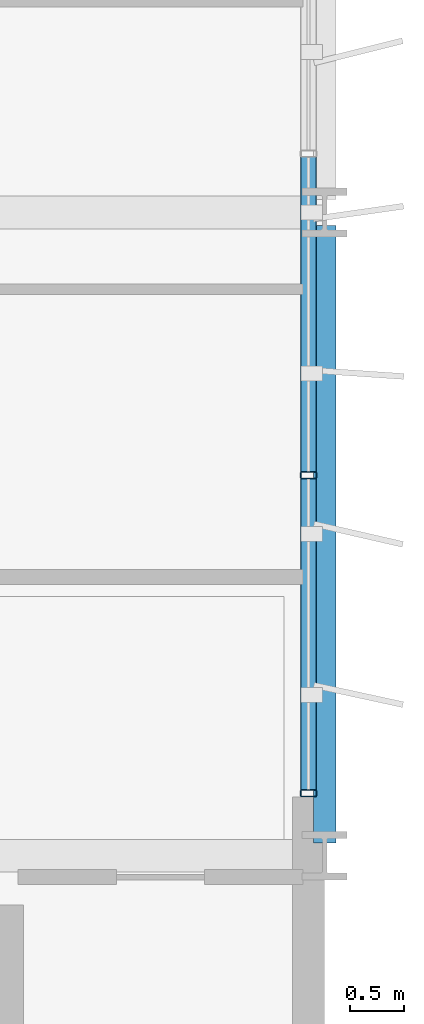
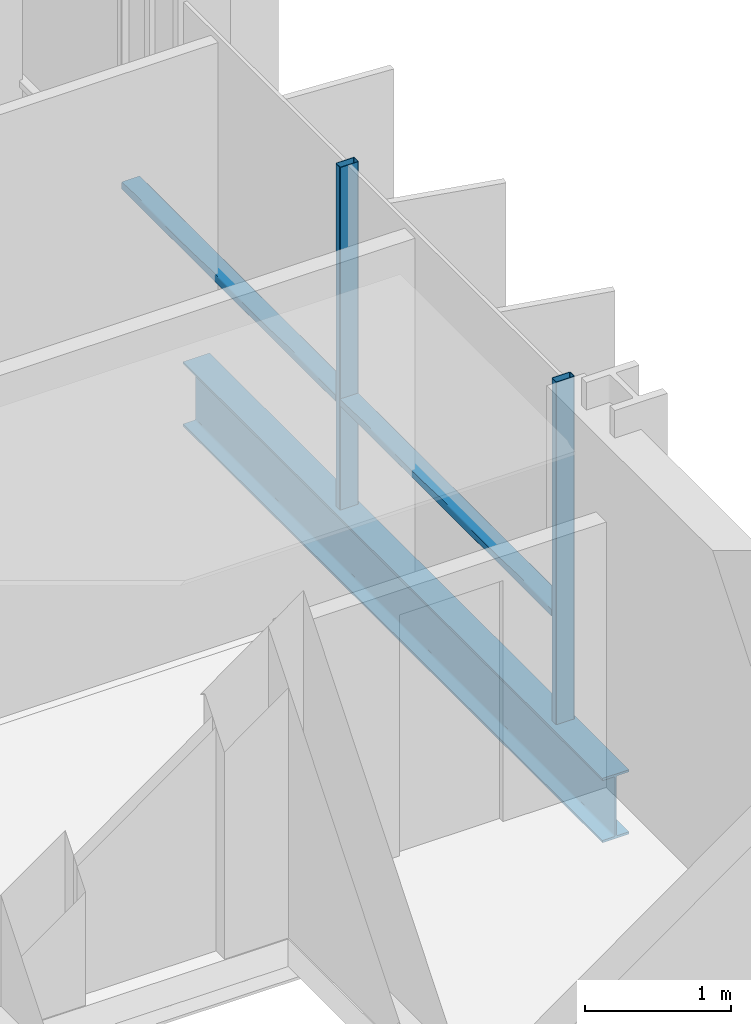
# One storey, part 15 of 38: 4 members, 1 beam, 1 element without a shape of its own.
"""IFC4 building model written with IfcOpenShell, lengths in metres."""

from ifc_helpers import new_model, si_unit, direction, frame, origin, origin_2d, place, context, subcontext, project, spatial, hollow_rectangle, i_section, extrude, material, layer, layer_set, material_profile, profile_set, type_object, element, aggregate, save


model = new_model("IFC4")

# Units and contexts
model_context = context("Model", 3, precision=1e-05, world=origin(), true_north=direction((0.0, 1.0)))
body_context = subcontext(model_context, "Body", "Model", "MODEL_VIEW")
ifc_project = project(units=[si_unit("LENGTHUNIT", "METRE"), si_unit("AREAUNIT", "SQUARE_METRE"), si_unit("VOLUMEUNIT", "CUBIC_METRE"), si_unit("PLANEANGLEUNIT", "RADIAN"), si_unit("MASSUNIT", "GRAM", prefix="KILO")], contexts=[model_context])

# Site, building, storey
site_placement = place(None, origin())
site = spatial("IfcSite", under=ifc_project, at=site_placement, CompositionType="ELEMENT")
building_placement = place(site_placement, origin())
building = spatial("IfcBuilding", under=site, at=building_placement, Name="Brevholm Reach", CompositionType="ELEMENT")
storey_placement = place(building_placement, frame((0.0, 0.0, 71.39990234375)))
storey = spatial("IfcBuildingStorey", under=building, at=storey_placement, Name="L20", CompositionType="ELEMENT", Elevation=71.39990234375)

# Beam
ifc_material_1 = material(Name="Structural Steel S355J2", Category="steel")
ifc_material_profile_1 = material_profile(ifc_material_1, i_section(OverallWidth=0.210693359375, OverallDepth=0.53955078125, WebThickness=0.01171875, FlangeThickness=0.018798828125, FilletRadius=0.0126953125, at=origin_2d()), Name="UKB 533x210x109")
ifc_profile_set_1 = profile_set([ifc_material_profile_1], Name="Structural Steel S355J2")
beam_type = type_object("IfcBeamType", Name="BM-SP539", PredefinedType="SPANDREL", material=ifc_profile_set_1)
beam_placement = place(storey_placement, frame((60.0, 10.1201171875, -0.499755859375), z_axis=(0.0, 1.0, 0.0), x_axis=(-1.0, 0.0, 0.0)))
element("IfcBeam", 1, at=beam_placement, inside=storey, type_object=beam_type, Name="L20 SP-01B Framing Beam", PredefinedType="SPANDREL", context=body_context, shape_type="SweptSolid", body=[
    extrude(i_section(OverallWidth=0.210693359375, OverallDepth=0.53955078125, WebThickness=0.01171875, FlangeThickness=0.018798828125, FilletRadius=0.0126953125, at=origin_2d()), origin(), (0.0, 0.0, 1.0), 5.759765625),
])

# Curtain wall, members
ifc_material_2 = material(Name="Dark Anodised Aluminium 6063-T6 and Solar-Control Glass", Category="aluminium")
ifc_layer = layer(ifc_material_2, 0.14990234375)
ifc_layer_set = layer_set([ifc_layer], Name="Dark Anodised Aluminium 6063-T6 and Solar-Control Glass")
curtain_wall_type = type_object("IfcCurtainWallType", Name="CW-01", PredefinedType="NOTDEFINED", material=ifc_layer_set)
curtain_wall_placement = place(storey_placement, origin())
curtain_wall = element("IfcCurtainWall", 2, at=curtain_wall_placement, inside=storey, type_object=curtain_wall_type, Name="L20 Curtain Wall CW-01", PredefinedType="NOTDEFINED")
ifc_material_3 = material(Name="Dark Anodised Aluminium 6063-T6", Category="aluminium")
ifc_material_profile_2 = material_profile(ifc_material_3, hollow_rectangle(XDim=0.06494140625, YDim=0.14990234375, WallThickness=0.0048828125, InnerFilletRadius=0.0048828125, OuterFilletRadius=0.010009765625, at=origin_2d()), Name="RHS 150x65x5")
ifc_profile_set_2 = profile_set([ifc_material_profile_2], Name="Dark Anodised Aluminium 6063-T6")
member_type_1 = type_object("IfcMemberType", Name="CWM-150", PredefinedType="MULLION", material=ifc_profile_set_2)
member_1_placement = place(storey_placement, frame((59.85009765625, 10.58251953125, 0.0), z_axis=(0.0, 0.0, 1.0), x_axis=(0.0, 1.0, 0.0)))
member_1 = element("IfcMember", 3, at=member_1_placement, type_object=member_type_1, Name="CM-150 Mullion 1", PredefinedType="MULLION", context=body_context, shape_type="SweptSolid", body=[
    extrude(hollow_rectangle(XDim=0.06494140625, YDim=0.14990234375, WallThickness=0.0048828125, InnerFilletRadius=0.0048828125, OuterFilletRadius=0.010009765625, at=origin_2d()), origin(), (0.0, 0.0, 1.0), 2.8701171875),
])
member_2_placement = place(storey_placement, frame((59.85009765625, 13.550048828125, 0.0), z_axis=(0.0, 0.0, 1.0), x_axis=(0.0, 1.0, 0.0)))
member_2 = element("IfcMember", 4, at=member_2_placement, type_object=member_type_1, Name="CM-150 Mullion 2", PredefinedType="MULLION", context=body_context, shape_type="SweptSolid", body=[
    extrude(hollow_rectangle(XDim=0.06494140625, YDim=0.14990234375, WallThickness=0.0048828125, InnerFilletRadius=0.0048828125, OuterFilletRadius=0.010009765625, at=origin_2d()), origin(), (0.0, 0.0, 1.0), 2.8701171875),
])
ifc_material_4 = material(Name="Dark Anodised Aluminium 6063-T6", Category="aluminium")
ifc_material_profile_3 = material_profile(ifc_material_4, hollow_rectangle(XDim=0.06494140625, YDim=0.14990234375, WallThickness=0.0048828125, InnerFilletRadius=0.0048828125, OuterFilletRadius=0.010009765625, at=origin_2d()), Name="RHS 150x65x5")
ifc_profile_set_3 = profile_set([ifc_material_profile_3], Name="Dark Anodised Aluminium 6063-T6")
member_type_2 = type_object("IfcMemberType", Name="CWT-150", PredefinedType="NOTDEFINED", material=ifc_profile_set_3)
member_3_placement = place(storey_placement, frame((59.85009765625, 10.614990234375, 0.900146484375), z_axis=(0.0, 1.0, 0.0), x_axis=(0.0, 0.0, 1.0)))
member_3 = element("IfcMember", 5, at=member_3_placement, type_object=member_type_2, Name="CT-150 Transom 1.1", ObjectType="TRANSOM", PredefinedType="USERDEFINED", context=body_context, shape_type="SweptSolid", body=[
    extrude(hollow_rectangle(XDim=0.06494140625, YDim=0.14990234375, WallThickness=0.0048828125, InnerFilletRadius=0.0048828125, OuterFilletRadius=0.010009765625, at=origin_2d()), origin(), (0.0, 0.0, 1.0), 2.902587890625),
])
member_4_placement = place(storey_placement, frame((59.85009765625, 13.58251953125, 0.900146484375), z_axis=(0.0, 1.0, 0.0), x_axis=(0.0, 0.0, 1.0)))
member_4 = element("IfcMember", 6, at=member_4_placement, type_object=member_type_2, Name="CT-150 Transom 2.1", ObjectType="TRANSOM", PredefinedType="USERDEFINED", context=body_context, shape_type="SweptSolid", body=[
    extrude(hollow_rectangle(XDim=0.06494140625, YDim=0.14990234375, WallThickness=0.0048828125, InnerFilletRadius=0.0048828125, OuterFilletRadius=0.010009765625, at=origin_2d()), origin(), (0.0, 0.0, 1.0), 2.93505859375),
])
aggregate(curtain_wall, [member_1, member_2, member_3, member_4])

save(model, "model.ifc")
